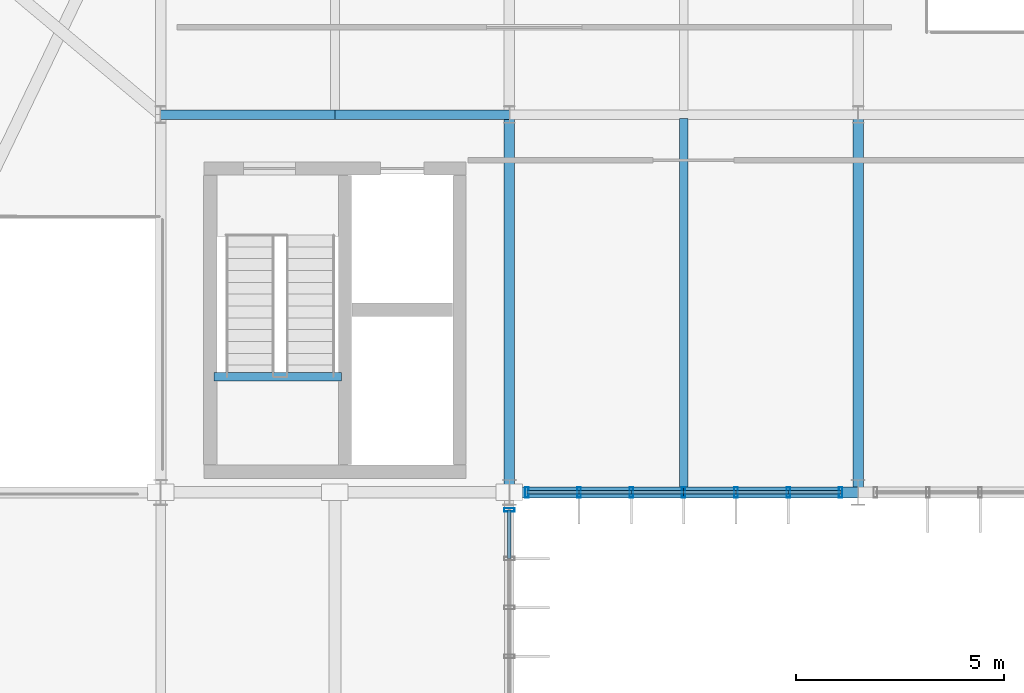
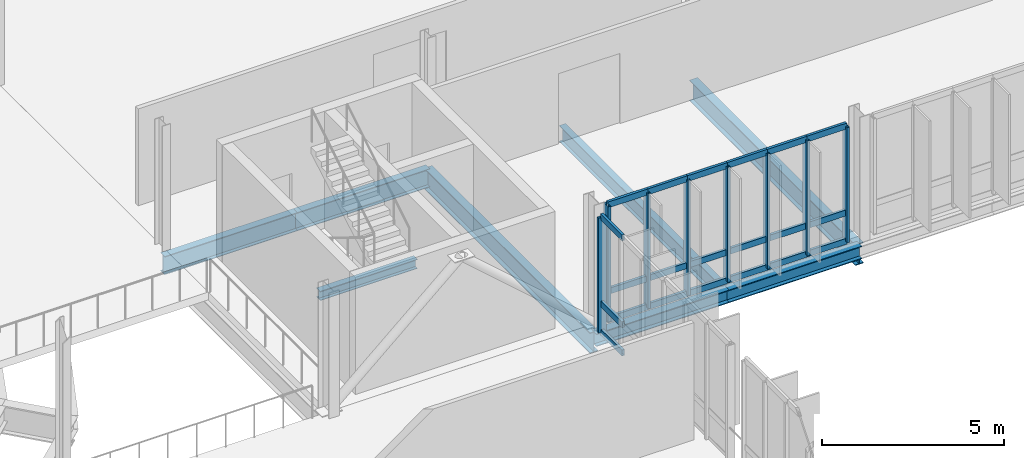
# One storey, part 31 of 107: 29 members, 8 beams, 2 elements without a shape of their own.
"""IFC4 building model written with IfcOpenShell, lengths in metres."""

from ifc_helpers import new_model, si_unit, derived_unit, direction, frame, origin, origin_2d, place, context, subcontext, project, spatial, hollow_rectangle, i_section, extrude, material, layer, layer_set, material_profile, profile_set, type_object, element, aggregate, save


model = new_model("IFC4")

# Units and contexts
model_context = context("Model", 3, precision=1e-05, world=origin(), true_north=direction((0.0, 1.0)))
body_context = subcontext(model_context, "Body", "Model", "MODEL_VIEW")
ifc_project = project(units=[si_unit("LENGTHUNIT", "METRE"), si_unit("AREAUNIT", "SQUARE_METRE"), si_unit("VOLUMEUNIT", "CUBIC_METRE"), si_unit("PLANEANGLEUNIT", "RADIAN"), si_unit("MASSUNIT", "GRAM", prefix="KILO"), derived_unit("THERMALTRANSMITTANCEUNIT", [(si_unit("MASSUNIT", "GRAM", prefix="KILO"), 1), (si_unit("TIMEUNIT", "SECOND"), -3), (si_unit("THERMODYNAMICTEMPERATUREUNIT", "KELVIN"), -1)])], contexts=[model_context])

# Site, building, storey
site_placement = place(None, origin())
site = spatial("IfcSite", under=ifc_project, at=site_placement, CompositionType="ELEMENT")
building_placement = place(site_placement, origin())
building = spatial("IfcBuilding", under=site, at=building_placement, Name="Makaiwela Harbour Ferry Terminal", CompositionType="ELEMENT")
storey_placement = place(building_placement, frame((0.0, 0.0, 9.60009765625)))
storey = spatial("IfcBuildingStorey", under=building, at=storey_placement, Name="L02", CompositionType="ELEMENT", Elevation=9.60009765625)

# Curtain wall, members
ifc_material_1 = material(Name="Marine anodised aluminium 6063-T6", Category="aluminium")
ifc_layer_1 = layer(ifc_material_1, 0.199951171875)
ifc_layer_set_1 = layer_set([ifc_layer_1], Name="Marine anodised aluminium 6063-T6")
curtain_wall_type_1 = type_object("IfcCurtainWallType", Name="ENV-CW-09", PredefinedType="USERDEFINED", material=ifc_layer_set_1)
curtain_wall_1_placement = place(storey_placement, origin())
curtain_wall_1 = element("IfcCurtainWall", 1, at=curtain_wall_1_placement, inside=storey, type_object=curtain_wall_type_1, Name="Unitised Curtain Wall CWA-075", ObjectType="UNITIZED CURTAIN WALL", PredefinedType="USERDEFINED")
ifc_material_profile_1 = material_profile(ifc_material_1, hollow_rectangle(XDim=0.0849609375, YDim=0.25, WallThickness=0.0048828125, at=origin_2d()), Name="CWM-250X85")
ifc_profile_set_1 = profile_set([ifc_material_profile_1], Name="Marine anodised aluminium 6063-T6")
member_type_1 = type_object("IfcMemberType", Name="CW-MUL-250", PredefinedType="MULLION", material=ifc_profile_set_1)
member_1_placement = place(storey_placement, frame((79.3798828125, 49.39990234375, 0.0), z_axis=(0.0, 0.0, 1.0), x_axis=(1.0, 0.0, 0.0)))
member_1 = element("IfcMember", 2, at=member_1_placement, type_object=member_type_1, Name="Curtain Wall Mullion CWA-075-1", PredefinedType="MULLION", context=body_context, shape_type="SweptSolid", body=[
    extrude(hollow_rectangle(XDim=0.0849609375, YDim=0.25, WallThickness=0.0048828125, at=origin_2d()), origin(), (0.0, 0.0, 1.0), 3.849853515625),
])
member_2_placement = place(storey_placement, frame((78.1201171875, 49.39990234375, 0.0), z_axis=(0.0, 0.0, 1.0), x_axis=(1.0, 0.0, 0.0)))
member_2 = element("IfcMember", 3, at=member_2_placement, type_object=member_type_1, Name="Curtain Wall Mullion CWA-075-2", PredefinedType="MULLION", context=body_context, shape_type="SweptSolid", body=[
    extrude(hollow_rectangle(XDim=0.0849609375, YDim=0.25, WallThickness=0.0048828125, at=origin_2d()), origin(), (0.0, 0.0, 1.0), 3.849853515625),
])
member_3_placement = place(storey_placement, frame((76.860107421875, 49.39990234375, 0.0), z_axis=(0.0, 0.0, 1.0), x_axis=(1.0, 0.0, 0.0)))
member_3 = element("IfcMember", 4, at=member_3_placement, type_object=member_type_1, Name="Curtain Wall Mullion CWA-075-3", PredefinedType="MULLION", context=body_context, shape_type="SweptSolid", body=[
    extrude(hollow_rectangle(XDim=0.0849609375, YDim=0.25, WallThickness=0.0048828125, at=origin_2d()), origin(), (0.0, 0.0, 1.0), 3.849853515625),
])
member_4_placement = place(storey_placement, frame((75.60009765625, 49.39990234375, 0.0), z_axis=(0.0, 0.0, 1.0), x_axis=(1.0, 0.0, 0.0)))
member_4 = element("IfcMember", 5, at=member_4_placement, type_object=member_type_1, Name="Curtain Wall Mullion CWA-075-4", PredefinedType="MULLION", context=body_context, shape_type="SweptSolid", body=[
    extrude(hollow_rectangle(XDim=0.0849609375, YDim=0.25, WallThickness=0.0048828125, at=origin_2d()), origin(), (0.0, 0.0, 1.0), 3.849853515625),
])
member_5_placement = place(storey_placement, frame((74.340087890625, 49.39990234375, 0.0), z_axis=(0.0, 0.0, 1.0), x_axis=(1.0, 0.0, 0.0)))
member_5 = element("IfcMember", 6, at=member_5_placement, type_object=member_type_1, Name="Curtain Wall Mullion CWA-075-5", PredefinedType="MULLION", context=body_context, shape_type="SweptSolid", body=[
    extrude(hollow_rectangle(XDim=0.0849609375, YDim=0.25, WallThickness=0.0048828125, at=origin_2d()), origin(), (0.0, 0.0, 1.0), 3.849853515625),
])
member_6_placement = place(storey_placement, frame((73.080078125, 49.39990234375, 0.0), z_axis=(0.0, 0.0, 1.0), x_axis=(1.0, 0.0, 0.0)))
member_6 = element("IfcMember", 7, at=member_6_placement, type_object=member_type_1, Name="Curtain Wall Mullion CWA-075-6", PredefinedType="MULLION", context=body_context, shape_type="SweptSolid", body=[
    extrude(hollow_rectangle(XDim=0.0849609375, YDim=0.25, WallThickness=0.0048828125, at=origin_2d()), origin(), (0.0, 0.0, 1.0), 3.849853515625),
])
member_7_placement = place(storey_placement, frame((71.820068359375, 49.39990234375, 0.0), z_axis=(0.0, 0.0, 1.0), x_axis=(1.0, 0.0, 0.0)))
member_7 = element("IfcMember", 8, at=member_7_placement, type_object=member_type_1, Name="Curtain Wall Mullion CWA-075-7", PredefinedType="MULLION", context=body_context, shape_type="SweptSolid", body=[
    extrude(hollow_rectangle(XDim=0.0849609375, YDim=0.25, WallThickness=0.0048828125, at=origin_2d()), origin(), (0.0, 0.0, 1.0), 3.849853515625),
])

# Curtain wall, member
ifc_layer_2 = layer(ifc_material_1, 0.199951171875)
ifc_layer_set_2 = layer_set([ifc_layer_2], Name="Marine anodised aluminium 6063-T6")
curtain_wall_type_2 = type_object("IfcCurtainWallType", Name="ENV-CW-14", PredefinedType="USERDEFINED", material=ifc_layer_set_2)
curtain_wall_2_placement = place(storey_placement, origin())
curtain_wall_2 = element("IfcCurtainWall", 9, at=curtain_wall_2_placement, inside=storey, type_object=curtain_wall_type_2, Name="Unitised Curtain Wall CWA-113", ObjectType="UNITIZED CURTAIN WALL", PredefinedType="USERDEFINED")
member_8_placement = place(storey_placement, frame((71.39990234375, 48.97998046875, 0.0), z_axis=(0.0, 0.0, 1.0), x_axis=(0.0, 1.0, 0.0)))
member_8 = element("IfcMember", 10, at=member_8_placement, type_object=member_type_1, Name="Curtain Wall Mullion CWA-113-1", PredefinedType="MULLION", context=body_context, shape_type="SweptSolid", body=[
    extrude(hollow_rectangle(XDim=0.0849609375, YDim=0.25, WallThickness=0.0048828125, at=origin_2d()), origin(), (0.0, 0.0, 1.0), 3.849853515625),
])

# Member
ifc_material_profile_2 = material_profile(ifc_material_1, hollow_rectangle(XDim=0.0849609375, YDim=0.199951171875, WallThickness=0.0048828125, at=origin_2d()), Name="CWT-200X85")
ifc_profile_set_2 = profile_set([ifc_material_profile_2], Name="Marine anodised aluminium 6063-T6")
member_type_2 = type_object("IfcMemberType", Name="CW-TRN-200", PredefinedType="USERDEFINED", material=ifc_profile_set_2)
member_9_placement = place(storey_placement, frame((79.3798828125, 49.39990234375, 0.0), z_axis=(-1.0, 0.0, 0.0), x_axis=(0.0, -1.0, 0.0)))
member_9 = element("IfcMember", 11, at=member_9_placement, type_object=member_type_2, Name="Curtain Wall Transom CWA-075-1-1", ObjectType="TRANSOM", PredefinedType="USERDEFINED", context=body_context, shape_type="SweptSolid", body=[
    extrude(hollow_rectangle(XDim=0.0849609375, YDim=0.199951171875, WallThickness=0.0048828125, at=origin_2d()), origin(), (0.0, 0.0, 1.0), 1.259765625),
])

member_10_placement = place(storey_placement, frame((79.3798828125, 49.39990234375, 0.949951171875), z_axis=(-1.0, 0.0, 0.0), x_axis=(0.0, -1.0, 0.0)))
member_10 = element("IfcMember", 12, at=member_10_placement, type_object=member_type_2, Name="Curtain Wall Transom CWA-075-1-2", ObjectType="TRANSOM", PredefinedType="USERDEFINED", context=body_context, shape_type="SweptSolid", body=[
    extrude(hollow_rectangle(XDim=0.0849609375, YDim=0.199951171875, WallThickness=0.0048828125, at=origin_2d()), origin(), (0.0, 0.0, 1.0), 1.259765625),
])

member_11_placement = place(storey_placement, frame((79.3798828125, 49.39990234375, 3.849853515625), z_axis=(-1.0, 0.0, 0.0), x_axis=(0.0, -1.0, 0.0)))
member_11 = element("IfcMember", 13, at=member_11_placement, type_object=member_type_2, Name="Curtain Wall Transom CWA-075-1-3", ObjectType="TRANSOM", PredefinedType="USERDEFINED", context=body_context, shape_type="SweptSolid", body=[
    extrude(hollow_rectangle(XDim=0.0849609375, YDim=0.199951171875, WallThickness=0.0048828125, at=origin_2d()), origin(), (0.0, 0.0, 1.0), 1.259765625),
])

member_12_placement = place(storey_placement, frame((78.1201171875, 49.39990234375, 0.0), z_axis=(-1.0, 0.0, 0.0), x_axis=(0.0, -1.0, 0.0)))
member_12 = element("IfcMember", 14, at=member_12_placement, type_object=member_type_2, Name="Curtain Wall Transom CWA-075-2-1", ObjectType="TRANSOM", PredefinedType="USERDEFINED", context=body_context, shape_type="SweptSolid", body=[
    extrude(hollow_rectangle(XDim=0.0849609375, YDim=0.199951171875, WallThickness=0.0048828125, at=origin_2d()), origin(), (0.0, 0.0, 1.0), 1.260009765625),
])

member_13_placement = place(storey_placement, frame((78.1201171875, 49.39990234375, 0.949951171875), z_axis=(-1.0, 0.0, 0.0), x_axis=(0.0, -1.0, 0.0)))
member_13 = element("IfcMember", 15, at=member_13_placement, type_object=member_type_2, Name="Curtain Wall Transom CWA-075-2-2", ObjectType="TRANSOM", PredefinedType="USERDEFINED", context=body_context, shape_type="SweptSolid", body=[
    extrude(hollow_rectangle(XDim=0.0849609375, YDim=0.199951171875, WallThickness=0.0048828125, at=origin_2d()), origin(), (0.0, 0.0, 1.0), 1.260009765625),
])

member_14_placement = place(storey_placement, frame((78.1201171875, 49.39990234375, 3.849853515625), z_axis=(-1.0, 0.0, 0.0), x_axis=(0.0, -1.0, 0.0)))
member_14 = element("IfcMember", 16, at=member_14_placement, type_object=member_type_2, Name="Curtain Wall Transom CWA-075-2-3", ObjectType="TRANSOM", PredefinedType="USERDEFINED", context=body_context, shape_type="SweptSolid", body=[
    extrude(hollow_rectangle(XDim=0.0849609375, YDim=0.199951171875, WallThickness=0.0048828125, at=origin_2d()), origin(), (0.0, 0.0, 1.0), 1.260009765625),
])

member_15_placement = place(storey_placement, frame((76.860107421875, 49.39990234375, 0.0), z_axis=(-1.0, 0.0, 0.0), x_axis=(0.0, -1.0, 0.0)))
member_15 = element("IfcMember", 17, at=member_15_placement, type_object=member_type_2, Name="Curtain Wall Transom CWA-075-3-1", ObjectType="TRANSOM", PredefinedType="USERDEFINED", context=body_context, shape_type="SweptSolid", body=[
    extrude(hollow_rectangle(XDim=0.0849609375, YDim=0.199951171875, WallThickness=0.0048828125, at=origin_2d()), origin(), (0.0, 0.0, 1.0), 1.260009765625),
])

member_16_placement = place(storey_placement, frame((76.860107421875, 49.39990234375, 0.949951171875), z_axis=(-1.0, 0.0, 0.0), x_axis=(0.0, -1.0, 0.0)))
member_16 = element("IfcMember", 18, at=member_16_placement, type_object=member_type_2, Name="Curtain Wall Transom CWA-075-3-2", ObjectType="TRANSOM", PredefinedType="USERDEFINED", context=body_context, shape_type="SweptSolid", body=[
    extrude(hollow_rectangle(XDim=0.0849609375, YDim=0.199951171875, WallThickness=0.0048828125, at=origin_2d()), origin(), (0.0, 0.0, 1.0), 1.260009765625),
])

member_17_placement = place(storey_placement, frame((76.860107421875, 49.39990234375, 3.849853515625), z_axis=(-1.0, 0.0, 0.0), x_axis=(0.0, -1.0, 0.0)))
member_17 = element("IfcMember", 19, at=member_17_placement, type_object=member_type_2, Name="Curtain Wall Transom CWA-075-3-3", ObjectType="TRANSOM", PredefinedType="USERDEFINED", context=body_context, shape_type="SweptSolid", body=[
    extrude(hollow_rectangle(XDim=0.0849609375, YDim=0.199951171875, WallThickness=0.0048828125, at=origin_2d()), origin(), (0.0, 0.0, 1.0), 1.260009765625),
])

member_18_placement = place(storey_placement, frame((75.60009765625, 49.39990234375, 0.0), z_axis=(-1.0, 0.0, 0.0), x_axis=(0.0, -1.0, 0.0)))
member_18 = element("IfcMember", 20, at=member_18_placement, type_object=member_type_2, Name="Curtain Wall Transom CWA-075-4-1", ObjectType="TRANSOM", PredefinedType="USERDEFINED", context=body_context, shape_type="SweptSolid", body=[
    extrude(hollow_rectangle(XDim=0.0849609375, YDim=0.199951171875, WallThickness=0.0048828125, at=origin_2d()), origin(), (0.0, 0.0, 1.0), 1.260009765625),
])

member_19_placement = place(storey_placement, frame((75.60009765625, 49.39990234375, 0.949951171875), z_axis=(-1.0, 0.0, 0.0), x_axis=(0.0, -1.0, 0.0)))
member_19 = element("IfcMember", 21, at=member_19_placement, type_object=member_type_2, Name="Curtain Wall Transom CWA-075-4-2", ObjectType="TRANSOM", PredefinedType="USERDEFINED", context=body_context, shape_type="SweptSolid", body=[
    extrude(hollow_rectangle(XDim=0.0849609375, YDim=0.199951171875, WallThickness=0.0048828125, at=origin_2d()), origin(), (0.0, 0.0, 1.0), 1.260009765625),
])

member_20_placement = place(storey_placement, frame((75.60009765625, 49.39990234375, 3.849853515625), z_axis=(-1.0, 0.0, 0.0), x_axis=(0.0, -1.0, 0.0)))
member_20 = element("IfcMember", 22, at=member_20_placement, type_object=member_type_2, Name="Curtain Wall Transom CWA-075-4-3", ObjectType="TRANSOM", PredefinedType="USERDEFINED", context=body_context, shape_type="SweptSolid", body=[
    extrude(hollow_rectangle(XDim=0.0849609375, YDim=0.199951171875, WallThickness=0.0048828125, at=origin_2d()), origin(), (0.0, 0.0, 1.0), 1.260009765625),
])

member_21_placement = place(storey_placement, frame((74.340087890625, 49.39990234375, 0.0), z_axis=(-1.0, 0.0, 0.0), x_axis=(0.0, -1.0, 0.0)))
member_21 = element("IfcMember", 23, at=member_21_placement, type_object=member_type_2, Name="Curtain Wall Transom CWA-075-5-1", ObjectType="TRANSOM", PredefinedType="USERDEFINED", context=body_context, shape_type="SweptSolid", body=[
    extrude(hollow_rectangle(XDim=0.0849609375, YDim=0.199951171875, WallThickness=0.0048828125, at=origin_2d()), origin(), (0.0, 0.0, 1.0), 1.260009765625),
])

member_22_placement = place(storey_placement, frame((74.340087890625, 49.39990234375, 0.949951171875), z_axis=(-1.0, 0.0, 0.0), x_axis=(0.0, -1.0, 0.0)))
member_22 = element("IfcMember", 24, at=member_22_placement, type_object=member_type_2, Name="Curtain Wall Transom CWA-075-5-2", ObjectType="TRANSOM", PredefinedType="USERDEFINED", context=body_context, shape_type="SweptSolid", body=[
    extrude(hollow_rectangle(XDim=0.0849609375, YDim=0.199951171875, WallThickness=0.0048828125, at=origin_2d()), origin(), (0.0, 0.0, 1.0), 1.260009765625),
])

member_23_placement = place(storey_placement, frame((74.340087890625, 49.39990234375, 3.849853515625), z_axis=(-1.0, 0.0, 0.0), x_axis=(0.0, -1.0, 0.0)))
member_23 = element("IfcMember", 25, at=member_23_placement, type_object=member_type_2, Name="Curtain Wall Transom CWA-075-5-3", ObjectType="TRANSOM", PredefinedType="USERDEFINED", context=body_context, shape_type="SweptSolid", body=[
    extrude(hollow_rectangle(XDim=0.0849609375, YDim=0.199951171875, WallThickness=0.0048828125, at=origin_2d()), origin(), (0.0, 0.0, 1.0), 1.260009765625),
])

member_24_placement = place(storey_placement, frame((73.080078125, 49.39990234375, 0.0), z_axis=(-1.0, 0.0, 0.0), x_axis=(0.0, -1.0, 0.0)))
member_24 = element("IfcMember", 26, at=member_24_placement, type_object=member_type_2, Name="Curtain Wall Transom CWA-075-6-1", ObjectType="TRANSOM", PredefinedType="USERDEFINED", context=body_context, shape_type="SweptSolid", body=[
    extrude(hollow_rectangle(XDim=0.0849609375, YDim=0.199951171875, WallThickness=0.0048828125, at=origin_2d()), origin(), (0.0, 0.0, 1.0), 1.260009765625),
])

member_25_placement = place(storey_placement, frame((73.080078125, 49.39990234375, 0.949951171875), z_axis=(-1.0, 0.0, 0.0), x_axis=(0.0, -1.0, 0.0)))
member_25 = element("IfcMember", 27, at=member_25_placement, type_object=member_type_2, Name="Curtain Wall Transom CWA-075-6-2", ObjectType="TRANSOM", PredefinedType="USERDEFINED", context=body_context, shape_type="SweptSolid", body=[
    extrude(hollow_rectangle(XDim=0.0849609375, YDim=0.199951171875, WallThickness=0.0048828125, at=origin_2d()), origin(), (0.0, 0.0, 1.0), 1.260009765625),
])

member_26_placement = place(storey_placement, frame((73.080078125, 49.39990234375, 3.849853515625), z_axis=(-1.0, 0.0, 0.0), x_axis=(0.0, -1.0, 0.0)))
member_26 = element("IfcMember", 28, at=member_26_placement, type_object=member_type_2, Name="Curtain Wall Transom CWA-075-6-3", ObjectType="TRANSOM", PredefinedType="USERDEFINED", context=body_context, shape_type="SweptSolid", body=[
    extrude(hollow_rectangle(XDim=0.0849609375, YDim=0.199951171875, WallThickness=0.0048828125, at=origin_2d()), origin(), (0.0, 0.0, 1.0), 1.260009765625),
])

aggregate(curtain_wall_1, [member_1, member_2, member_3, member_4, member_5, member_6, member_7, member_9, member_10, member_11, member_12, member_13, member_14, member_15, member_16, member_17, member_18, member_19, member_20, member_21, member_22, member_23, member_24, member_25, member_26])

member_27_placement = place(storey_placement, frame((71.39990234375, 48.97998046875, 0.0), z_axis=(0.0, -1.0, 0.0), x_axis=(1.0, 0.0, 0.0)))
member_27 = element("IfcMember", 29, at=member_27_placement, type_object=member_type_2, Name="Curtain Wall Transom CWA-113-1-1", ObjectType="TRANSOM", PredefinedType="USERDEFINED", context=body_context, shape_type="SweptSolid", body=[
    extrude(hollow_rectangle(XDim=0.0849609375, YDim=0.199951171875, WallThickness=0.0048828125, at=origin_2d()), origin(), (0.0, 0.0, 1.0), 1.1767578125),
])

member_28_placement = place(storey_placement, frame((71.39990234375, 48.97998046875, 0.949951171875), z_axis=(0.0, -1.0, 0.0), x_axis=(1.0, 0.0, 0.0)))
member_28 = element("IfcMember", 30, at=member_28_placement, type_object=member_type_2, Name="Curtain Wall Transom CWA-113-1-2", ObjectType="TRANSOM", PredefinedType="USERDEFINED", context=body_context, shape_type="SweptSolid", body=[
    extrude(hollow_rectangle(XDim=0.0849609375, YDim=0.199951171875, WallThickness=0.0048828125, at=origin_2d()), origin(), (0.0, 0.0, 1.0), 1.1767578125),
])

member_29_placement = place(storey_placement, frame((71.39990234375, 48.97998046875, 3.849853515625), z_axis=(0.0, -1.0, 0.0), x_axis=(1.0, 0.0, 0.0)))
member_29 = element("IfcMember", 31, at=member_29_placement, type_object=member_type_2, Name="Curtain Wall Transom CWA-113-1-3", ObjectType="TRANSOM", PredefinedType="USERDEFINED", context=body_context, shape_type="SweptSolid", body=[
    extrude(hollow_rectangle(XDim=0.0849609375, YDim=0.199951171875, WallThickness=0.0048828125, at=origin_2d()), origin(), (0.0, 0.0, 1.0), 1.1767578125),
])

aggregate(curtain_wall_2, [member_8, member_27, member_28, member_29])

# Beams
ifc_material_2 = material(Name="Steel ASTM A992 Grade 50", Category="steel")
ifc_material_profile_3 = material_profile(ifc_material_2, i_section(OverallWidth=0.2099609375, OverallDepth=0.537109375, WebThickness=0.010986328125, FlangeThickness=0.017333984375, at=origin_2d()), Name="W21X68")
ifc_profile_set_3 = profile_set([ifc_material_profile_3], Name="Steel ASTM A992 Grade 50")
beam_type_1 = type_object("IfcBeamType", Name="STR-BM-W21X68", PredefinedType="BEAM", material=ifc_profile_set_3)
beam_1_placement = place(storey_placement, frame((75.60009765625, 49.514404296875, -0.528564453125), z_axis=(0.0, 1.0, 0.0), x_axis=(-1.0, 0.0, 0.0)))
element("IfcBeam", 32, at=beam_1_placement, inside=storey, type_object=beam_type_1, Name="Secondary floor beam 1476", PredefinedType="BEAM", context=body_context, shape_type="SweptSolid", body=[
    extrude(i_section(OverallWidth=0.2099609375, OverallDepth=0.537109375, WebThickness=0.010986328125, FlangeThickness=0.017333984375, at=origin_2d()), origin(), (0.0, 0.0, 1.0), 8.88916015625),
])
ifc_material_profile_4 = material_profile(ifc_material_2, i_section(OverallWidth=0.22900390625, OverallDepth=0.612060546875, WebThickness=0.011962890625, FlangeThickness=0.01953125, at=origin_2d()), Name="W24X84")
ifc_profile_set_4 = profile_set([ifc_material_profile_4], Name="Steel ASTM A992 Grade 50")
beam_type_2 = type_object("IfcBeamType", Name="STR-GRD-W24X84", PredefinedType="USERDEFINED", material=ifc_profile_set_4)
for number, where, z_axis, x_axis, name in (
    (33, (63.0, 58.5, -0.566162109375), (1.0, 0.0, 0.0), (0.0, 1.0, 0.0), "Primary X girder 1292"),
    (34, (67.199951171875, 58.5, -0.566162109375), (1.0, 0.0, 0.0), (0.0, 1.0, 0.0), "Primary X girder 1293"),
):
    element("IfcBeam", number, at=place(storey_placement, frame(where, z_axis=z_axis, x_axis=x_axis)), inside=storey, type_object=beam_type_2, Name=name, ObjectType="GIRDER", PredefinedType="USERDEFINED", context=body_context, shape_type="SweptSolid", body=[
        extrude(i_section(OverallWidth=0.22900390625, OverallDepth=0.612060546875, WebThickness=0.011962890625, FlangeThickness=0.01953125, at=origin_2d()), origin(), (0.0, 0.0, 1.0), 4.199951171875),
    ])
ifc_material_profile_5 = material_profile(ifc_material_2, i_section(OverallWidth=0.256103515625, OverallDepth=0.693115234375, WebThickness=0.014404296875, FlangeThickness=0.023681640625, at=origin_2d()), Name="W27X114")
ifc_profile_set_5 = profile_set([ifc_material_profile_5], Name="Steel ASTM A992 Grade 50")
beam_type_3 = type_object("IfcBeamType", Name="STR-GRD-W27X114", PredefinedType="USERDEFINED", material=ifc_profile_set_5)
for number, where, z_axis, x_axis, name in (
    (35, (71.39990234375, 49.39990234375, -0.606689453125), (0.0, 1.0, 0.0), (-1.0, 0.0, 0.0), "Primary Y girder 1370"),
    (36, (79.800048828125, 49.39990234375, -0.606689453125), (0.0, 1.0, 0.0), (-1.0, 0.0, 0.0), "Primary Y girder 1377"),
):
    element("IfcBeam", number, at=place(storey_placement, frame(where, z_axis=z_axis, x_axis=x_axis)), inside=storey, type_object=beam_type_3, Name=name, ObjectType="GIRDER", PredefinedType="USERDEFINED", context=body_context, shape_type="SweptSolid", body=[
        extrude(i_section(OverallWidth=0.256103515625, OverallDepth=0.693115234375, WebThickness=0.014404296875, FlangeThickness=0.023681640625, at=origin_2d()), origin(), (0.0, 0.0, 1.0), 9.10009765625),
    ])
ifc_material_profile_6 = material_profile(ifc_material_2, i_section(OverallWidth=0.205078125, OverallDepth=0.31005859375, WebThickness=0.009521484375, FlangeThickness=0.016357421875, at=origin_2d()), Name="W12X50")
ifc_profile_set_6 = profile_set([ifc_material_profile_6], Name="Steel ASTM A992 Grade 50")
beam_type_4 = type_object("IfcBeamType", Name="STR-LNT-W12X50", PredefinedType="LINTEL", material=ifc_profile_set_6)
beam_2_placement = place(storey_placement, frame((64.284912109375, 52.179931640625, 1.794921875), z_axis=(1.0, 0.0, 0.0), x_axis=(0.0, 1.0, 0.0)))
element("IfcBeam", 37, at=beam_2_placement, inside=storey, type_object=beam_type_4, Name="Stair Landing Beam ST-04-L02", PredefinedType="LINTEL", context=body_context, shape_type="SweptSolid", body=[
    extrude(i_section(OverallWidth=0.205078125, OverallDepth=0.31005859375, WebThickness=0.009521484375, FlangeThickness=0.016357421875, at=origin_2d()), origin(), (0.0, 0.0, 1.0), 3.070068359375),
])
ifc_material_profile_7 = material_profile(ifc_material_2, i_section(OverallWidth=0.264892578125, OverallDepth=0.430908203125, WebThickness=0.014892578125, FlangeThickness=0.02490234375, at=origin_2d()), Name="W16X100")
ifc_profile_set_7 = profile_set([ifc_material_profile_7], Name="Steel ASTM A992 Grade 50")
beam_type_5 = type_object("IfcBeamType", Name="STR-SPN-W16X100", PredefinedType="SPANDREL", material=ifc_profile_set_7)
beam_3_placement = place(storey_placement, frame((71.39990234375, 49.39990234375, -0.4755859375), z_axis=(1.0, 0.0, 0.0), x_axis=(0.0, 1.0, 0.0)))
element("IfcBeam", 38, at=beam_3_placement, inside=storey, type_object=beam_type_5, Name="Primary X girder 1274", PredefinedType="SPANDREL", context=body_context, shape_type="SweptSolid", body=[
    extrude(i_section(OverallWidth=0.264892578125, OverallDepth=0.430908203125, WebThickness=0.014892578125, FlangeThickness=0.02490234375, at=origin_2d()), origin(), (0.0, 0.0, 1.0), 4.2001953125),
])
beam_4_placement = place(storey_placement, frame((75.60009765625, 49.39990234375, -0.4755859375), z_axis=(1.0, 0.0, 0.0), x_axis=(0.0, 1.0, 0.0)))
element("IfcBeam", 39, at=beam_4_placement, inside=storey, type_object=beam_type_5, Name="Primary X girder 1275", PredefinedType="SPANDREL", context=body_context, shape_type="SweptSolid", body=[
    extrude(i_section(OverallWidth=0.264892578125, OverallDepth=0.430908203125, WebThickness=0.014892578125, FlangeThickness=0.02490234375, at=origin_2d()), origin(), (0.0, 0.0, 1.0), 4.199951171875),
])

save(model, "model.ifc")
